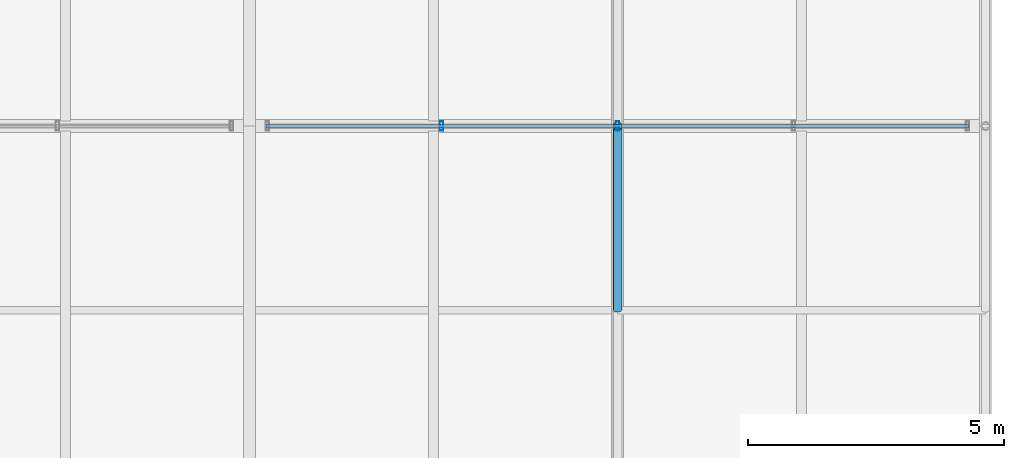
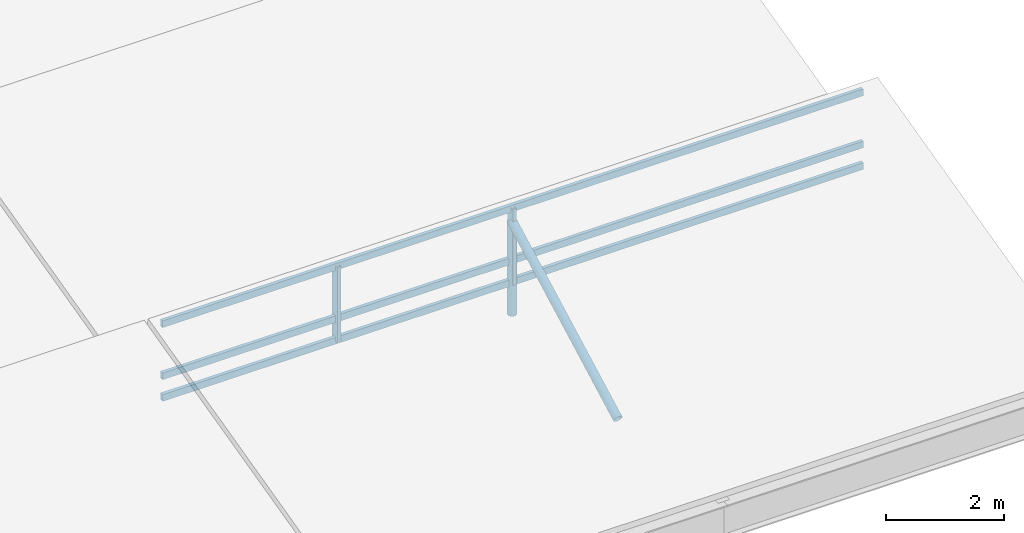
# One storey, part 60 of 144: 7 members, 1 element without a shape of its own.
"""IFC4 building model written with IfcOpenShell, lengths in metres."""

from ifc_helpers import new_model, si_unit, direction, frame, origin, origin_2d, place, context, subcontext, project, spatial, hollow_rectangle, hollow_circle, extrude, material, material_profile, profile_set, type_object, element, aggregate, save


model = new_model("IFC4")

# Units and contexts
model_context = context("Model", 3, precision=1e-05, world=origin(), true_north=direction((0.0, 1.0)))
body_context = subcontext(model_context, "Body", "Model", "MODEL_VIEW")
ifc_project = project(units=[si_unit("LENGTHUNIT", "METRE"), si_unit("AREAUNIT", "SQUARE_METRE"), si_unit("VOLUMEUNIT", "CUBIC_METRE"), si_unit("PLANEANGLEUNIT", "RADIAN"), si_unit("MASSUNIT", "GRAM", prefix="KILO")], contexts=[model_context])

# Site, building, storey
site_placement = place(None, origin())
site = spatial("IfcSite", under=ifc_project, at=site_placement, CompositionType="ELEMENT")
building_placement = place(site_placement, origin())
building = spatial("IfcBuilding", under=site, at=building_placement, Name="Yarey Park Central Fire Station", CompositionType="ELEMENT")
storey_placement = place(building_placement, frame((0.0, 0.0, 10.199951171875)))
storey = spatial("IfcBuildingStorey", under=building, at=storey_placement, Name="L03", CompositionType="ELEMENT", Elevation=10.199951171875)

# Curtain wall, members
ifc_material_1 = material(Name="Anodized Aluminium Frame", Category="aluminium")
curtain_wall_type = type_object("IfcCurtainWallType", Name="ENV_CW_SAW_18", PredefinedType="NOTDEFINED", material=ifc_material_1)
curtain_wall_placement = place(storey_placement, origin())
curtain_wall = element("IfcCurtainWall", 1, at=curtain_wall_placement, inside=storey, type_object=curtain_wall_type, Name="CW_L03_SAW_1_2", PredefinedType="NOTDEFINED")
ifc_material_profile_1 = material_profile(ifc_material_1, hollow_rectangle(XDim=0.070068359375, YDim=0.179931640625, WallThickness=0.00390625, at=origin_2d()), Name="ALU 180x70x4")
ifc_profile_set_1 = profile_set([ifc_material_profile_1], Name="Anodized Aluminium Frame")
member_type_1 = type_object("IfcMemberType", Name="ENV_CW_MULLION", PredefinedType="MULLION", material=ifc_profile_set_1)
member_1_placement = place(storey_placement, frame((158.39990234375, 50.39990234375, 0.0), z_axis=(0.0, 0.0, 1.0), x_axis=(1.0, 0.0, 0.0)))
member_1 = element("IfcMember", 2, at=member_1_placement, type_object=member_type_1, Name="CW_L03_SAW_1_2_MUL3", PredefinedType="MULLION", context=body_context, shape_type="SweptSolid", body=[
    extrude(hollow_rectangle(XDim=0.070068359375, YDim=0.179931640625, WallThickness=0.00390625, at=origin_2d()), origin(), (0.0, 0.0, 1.0), 1.580078125),
])
member_2_placement = place(storey_placement, frame((154.955078125, 50.39990234375, 0.0), z_axis=(0.0, 0.0, 1.0), x_axis=(1.0, 0.0, 0.0)))
member_2 = element("IfcMember", 3, at=member_2_placement, type_object=member_type_1, Name="CW_L03_SAW_1_2_MUL4", PredefinedType="MULLION", context=body_context, shape_type="SweptSolid", body=[
    extrude(hollow_rectangle(XDim=0.070068359375, YDim=0.179931640625, WallThickness=0.00390625, at=origin_2d()), origin(), (0.0, 0.0, 1.0), 1.580078125),
])
ifc_material_profile_2 = material_profile(ifc_material_1, hollow_rectangle(XDim=0.070068359375, YDim=0.139892578125, WallThickness=0.00390625, at=origin_2d()), Name="ALU 140x70x4")
ifc_profile_set_2 = profile_set([ifc_material_profile_2], Name="Anodized Aluminium Frame")
member_type_2 = type_object("IfcMemberType", Name="ENV_CW_TRANSOM", PredefinedType="USERDEFINED", material=ifc_profile_set_2)
member_3_placement = place(storey_placement, frame((165.27490234375, 50.39990234375, 0.025146484375), z_axis=(-1.0, 0.0, 0.0), x_axis=(0.0, -1.0, 0.0)))
member_3 = element("IfcMember", 4, at=member_3_placement, type_object=member_type_2, Name="CW_L03_SAW_1_2_TRN1", ObjectType="TRANSOM", PredefinedType="USERDEFINED", context=body_context, shape_type="SweptSolid", body=[
    extrude(hollow_rectangle(XDim=0.070068359375, YDim=0.139892578125, WallThickness=0.00390625, at=origin_2d()), origin(), (0.0, 0.0, 1.0), 13.75),
])
member_4_placement = place(storey_placement, frame((165.27490234375, 50.39990234375, 0.47412109375), z_axis=(-1.0, 0.0, 0.0), x_axis=(0.0, -1.0, 0.0)))
member_4 = element("IfcMember", 5, at=member_4_placement, type_object=member_type_2, Name="CW_L03_SAW_1_2_TRN2", ObjectType="TRANSOM", PredefinedType="USERDEFINED", context=body_context, shape_type="SweptSolid", body=[
    extrude(hollow_rectangle(XDim=0.070068359375, YDim=0.139892578125, WallThickness=0.00390625, at=origin_2d()), origin(), (0.0, 0.0, 1.0), 13.75),
])
member_5_placement = place(storey_placement, frame((165.27490234375, 50.39990234375, 1.554931640625), z_axis=(-1.0, 0.0, 0.0), x_axis=(0.0, -1.0, 0.0)))
member_5 = element("IfcMember", 6, at=member_5_placement, type_object=member_type_2, Name="CW_L03_SAW_1_2_TRN3", ObjectType="TRANSOM", PredefinedType="USERDEFINED", context=body_context, shape_type="SweptSolid", body=[
    extrude(hollow_rectangle(XDim=0.070068359375, YDim=0.139892578125, WallThickness=0.00390625, at=origin_2d()), origin(), (0.0, 0.0, 1.0), 13.75),
])
aggregate(curtain_wall, [member_1, member_2, member_3, member_4, member_5])

# Members
ifc_material_2 = material(Name="Steel ASTM A500 Gr. C", Category="steel")
ifc_material_profile_3 = material_profile(ifc_material_2, hollow_circle(Radius=0.084228515625, WallThickness=0.008056640625, at=origin_2d()), Name="CHS 168.3x8")
ifc_profile_set_3 = profile_set([ifc_material_profile_3], Name="Steel ASTM A500 Gr. C")
member_type_3 = type_object("IfcMemberType", Name="STR_WEB_CHS168", PredefinedType="BRACE", material=ifc_profile_set_3)
member_6_placement = place(storey_placement, frame((158.39990234375, 50.39990234375, -0.64990234375), z_axis=(0.0, 0.0, 1.0), x_axis=(1.0, 0.0, 0.0)))
element("IfcMember", 7, at=member_6_placement, inside=storey, type_object=member_type_3, Name="SAW_T3_B1_VT", PredefinedType="BRACE", context=body_context, shape_type="SweptSolid", body=[
    extrude(hollow_circle(Radius=0.084228515625, WallThickness=0.008056640625, at=origin_2d()), origin(), (0.0, 0.0, 1.0), 1.925048828125),
])
member_7_placement = place(storey_placement, frame((158.39990234375, 46.800048828125, -0.64990234375), z_axis=(0.0, 0.8818309127, 0.471565733919), x_axis=(-1.0, 0.0, 0.0)))
element("IfcMember", 8, at=member_7_placement, inside=storey, type_object=member_type_3, Name="SAW_T3_B1_DG", PredefinedType="BRACE", context=body_context, shape_type="SweptSolid", body=[
    extrude(hollow_circle(Radius=0.084228515625, WallThickness=0.008056640625, at=origin_2d()), origin(), (0.0, 0.0, 1.0), 4.082275390625),
])

save(model, "model.ifc")
